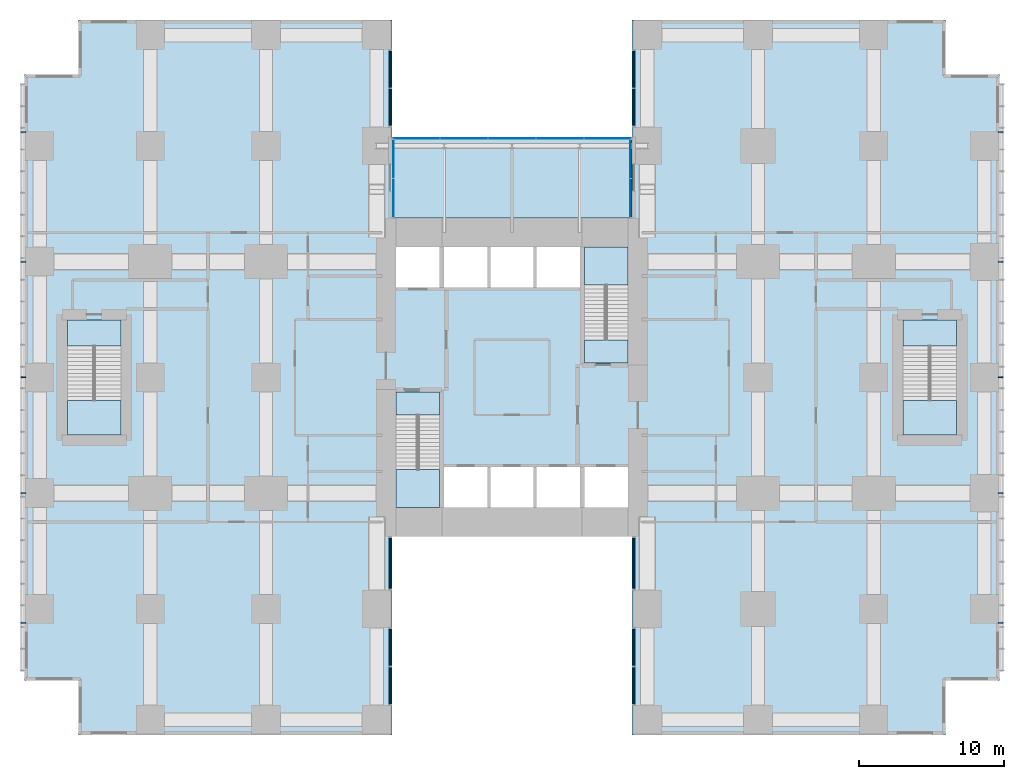
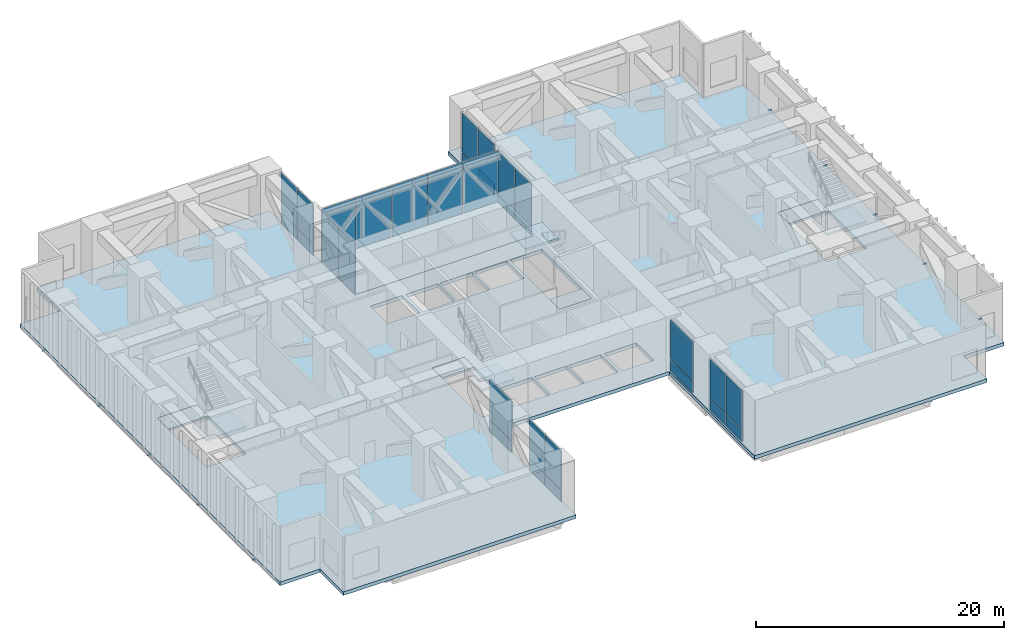
# One storey, part 8 of 17: 29 plates, 10 members, 10 slabs, 13 elements without a shape of their own.
"""IFC4 building model written with IfcOpenShell, lengths in metres."""

from ifc_helpers import new_model, si_unit, direction, frame, origin, origin_2d, place, context, subcontext, project, spatial, polyline, rectangle, hollow_rectangle, outline, extrude, material, layer, layer_set, material_profile, profile_set, type_object, element, aggregate, save


model = new_model("IFC4")

# Units and contexts
model_context = context("Model", 3, precision=1e-05, world=origin(), true_north=direction((0.0, 1.0)))
body_context = subcontext(model_context, "Body", "Model", "MODEL_VIEW")
ifc_project = project(units=[si_unit("LENGTHUNIT", "METRE"), si_unit("AREAUNIT", "SQUARE_METRE"), si_unit("VOLUMEUNIT", "CUBIC_METRE"), si_unit("PLANEANGLEUNIT", "RADIAN"), si_unit("MASSUNIT", "GRAM", prefix="KILO")], contexts=[model_context])

# Site, building, storey
site_placement = place(None, origin())
site = spatial("IfcSite", under=ifc_project, at=site_placement, CompositionType="ELEMENT")
building_placement = place(site_placement, origin())
building = spatial("IfcBuilding", under=site, at=building_placement, Name="Cleftline Residences", CompositionType="ELEMENT")
storey_placement = place(building_placement, frame((0.0, 0.0, 90.800048828125)))
storey = spatial("IfcBuildingStorey", under=building, at=storey_placement, Name="L23", CompositionType="ELEMENT", Elevation=90.800048828125)

# Members
ifc_material_1 = material(Name="Steel S355, hot-dip galvanised", Category="steel")
ifc_material_profile = material_profile(ifc_material_1, hollow_rectangle(XDim=0.10009765625, YDim=0.10009765625, WallThickness=0.008056640625, InnerFilletRadius=0.008056640625, OuterFilletRadius=0.011962890625, at=origin_2d()))
ifc_profile_set = profile_set([ifc_material_profile], Name="Steel S355, hot-dip galvanised")
member_type = type_object("IfcMemberType", Name="BAGUETTE BRACKET SHS 100X100X8", PredefinedType="USERDEFINED", material=ifc_profile_set)
for number, where, z_axis, x_axis, name in (
    (1, (66.60009765625, 7.050048828125, -0.150146484375), (1.0, 0.0, 0.0), (0.0, 1.0, 0.0), "Baguette bracket"),
    (2, (66.60009765625, 16.0, -0.150146484375), (1.0, 0.0, 0.0), (0.0, 1.0, 0.0), "Baguette bracket"),
    (3, (66.60009765625, 24.0, -0.150146484375), (1.0, 0.0, 0.0), (0.0, 1.0, 0.0), "Baguette bracket"),
    (4, (66.60009765625, 32.0, -0.150146484375), (1.0, 0.0, 0.0), (0.0, 1.0, 0.0), "Baguette bracket"),
    (5, (66.60009765625, 40.949951171875, -0.150146484375), (1.0, 0.0, 0.0), (0.0, 1.0, 0.0), "Baguette bracket"),
    (6, (-0.60009765625, 40.949951171875, -0.150146484375), (-1.0, 0.0, 0.0), (0.0, -1.0, 0.0), "Baguette bracket"),
    (7, (-0.60009765625, 32.0, -0.150146484375), (-1.0, 0.0, 0.0), (0.0, -1.0, 0.0), "Baguette bracket"),
    (8, (-0.60009765625, 24.0, -0.150146484375), (-1.0, 0.0, 0.0), (0.0, -1.0, 0.0), "Baguette bracket"),
    (9, (-0.60009765625, 16.0, -0.150146484375), (-1.0, 0.0, 0.0), (0.0, -1.0, 0.0), "Baguette bracket"),
    (10, (-0.60009765625, 7.050048828125, -0.150146484375), (-1.0, 0.0, 0.0), (0.0, -1.0, 0.0), "Baguette bracket"),
):
    element("IfcMember", number, at=place(storey_placement, frame(where, z_axis=z_axis, x_axis=x_axis)), inside=storey, type_object=member_type, Name=name, ObjectType="BAGUETTE BRACKET", PredefinedType="USERDEFINED", context=body_context, shape_type="SweptSolid", body=[
        extrude(hollow_rectangle(XDim=0.10009765625, YDim=0.10009765625, WallThickness=0.008056640625, InnerFilletRadius=0.008056640625, OuterFilletRadius=0.011962890625, at=origin_2d()), origin(), (0.0, 0.0, 1.0), 0.349853515625),
    ])

# Slab
ifc_material_2 = material(Name="Concrete B45", Category="concrete")
ifc_layer_1 = layer(ifc_material_2, 0.199951171875)
ifc_layer_set_1 = layer_set([ifc_layer_1], Name="BRIDGE FLOOR SLAB 200")
slab_type_1 = type_object("IfcSlabType", Name="BRIDGE FLOOR SLAB 200", PredefinedType="FLOOR", material=ifc_layer_set_1)
slab_1_placement = place(storey_placement, frame((0.0, 0.0, -0.199951171875)))
element("IfcSlab", 11, at=slab_1_placement, inside=storey, type_object=slab_type_1, Name="Sky bridge floor L23 N", PredefinedType="FLOOR", context=body_context, shape_type="SweptSolid", body=[
    extrude(outline(polyline([(41.300048828125, 35.0), (41.300048828125, 40.60009765625), (24.699951171875, 40.60009765625), (24.699951171875, 35.0), (41.300048828125, 35.0)])), origin(), (0.0, 0.0, 1.0), 0.199951171875),
])

# Curtain wall, plates
ifc_material_3 = material(Name="Aluminium framed curtain wall", Category="aluminium")
ifc_layer_2 = layer(ifc_material_3, 0.199951171875)
ifc_layer_set_2 = layer_set([ifc_layer_2], Name="CW3 BRIDGE GLAZING")
curtain_wall_type_1 = type_object("IfcCurtainWallType", Name="CW3 BRIDGE GLAZING", PredefinedType="NOTDEFINED", material=ifc_layer_set_2)
curtain_wall_1_placement = place(storey_placement, origin())
curtain_wall_1 = element("IfcCurtainWall", 12, at=curtain_wall_1_placement, inside=storey, type_object=curtain_wall_type_1, Name="Curtain wall CW3", PredefinedType="NOTDEFINED")
ifc_material_4 = material(Name="Insulated aluminium panel", Category="aluminium")
ifc_layer_3 = layer(ifc_material_4, 0.028076171875)
ifc_layer_set_3 = layer_set([ifc_layer_3], Name="CW3 INSULATED PANEL")
plate_type_1 = type_object("IfcPlateType", Name="CW3 INSULATED PANEL", PredefinedType="USERDEFINED", material=ifc_layer_set_3)
plate_1_placement = place(storey_placement, frame((39.625, 40.5, 0.06005859375), z_axis=(0.0, 0.0, 1.0), x_axis=(-1.0, 0.0, 0.0)))
plate_1 = element("IfcPlate", 13, at=plate_1_placement, type_object=plate_type_1, Name="CW3 panel 1.1", ObjectType="INSULATED PANEL", PredefinedType="USERDEFINED", context=body_context, shape_type="SweptSolid", body=[
    extrude(rectangle(XDim=3.22998046875, YDim=0.028076171875, at=origin_2d()), origin(), (0.0, 0.0, 1.0), 5.030029296875),
])
plate_2_placement = place(storey_placement, frame((36.320068359375, 40.5, 0.06005859375), z_axis=(0.0, 0.0, 1.0), x_axis=(-1.0, 0.0, 0.0)))
plate_2 = element("IfcPlate", 14, at=plate_2_placement, type_object=plate_type_1, Name="CW3 panel 2.1", ObjectType="INSULATED PANEL", PredefinedType="USERDEFINED", context=body_context, shape_type="SweptSolid", body=[
    extrude(rectangle(XDim=3.260009765625, YDim=0.028076171875, at=origin_2d()), origin(), (0.0, 0.0, 1.0), 5.030029296875),
])
plate_3_placement = place(storey_placement, frame((33.0, 40.5, 0.06005859375), z_axis=(0.0, 0.0, 1.0), x_axis=(-1.0, 0.0, 0.0)))
plate_3 = element("IfcPlate", 15, at=plate_3_placement, type_object=plate_type_1, Name="CW3 panel 3.1", ObjectType="INSULATED PANEL", PredefinedType="USERDEFINED", context=body_context, shape_type="SweptSolid", body=[
    extrude(rectangle(XDim=3.260009765625, YDim=0.028076171875, at=origin_2d()), origin(), (0.0, 0.0, 1.0), 5.030029296875),
])
plate_4_placement = place(storey_placement, frame((29.679931640625, 40.5, 0.06005859375), z_axis=(0.0, 0.0, 1.0), x_axis=(-1.0, 0.0, 0.0)))
plate_4 = element("IfcPlate", 16, at=plate_4_placement, type_object=plate_type_1, Name="CW3 panel 4.1", ObjectType="INSULATED PANEL", PredefinedType="USERDEFINED", context=body_context, shape_type="SweptSolid", body=[
    extrude(rectangle(XDim=3.260009765625, YDim=0.028076171875, at=origin_2d()), origin(), (0.0, 0.0, 1.0), 5.030029296875),
])
plate_5_placement = place(storey_placement, frame((26.375, 40.5, 0.06005859375), z_axis=(0.0, 0.0, 1.0), x_axis=(-1.0, 0.0, 0.0)))
plate_5 = element("IfcPlate", 17, at=plate_5_placement, type_object=plate_type_1, Name="CW3 panel 5.1", ObjectType="INSULATED PANEL", PredefinedType="USERDEFINED", context=body_context, shape_type="SweptSolid", body=[
    extrude(rectangle(XDim=3.22998046875, YDim=0.028076171875, at=origin_2d()), origin(), (0.0, 0.0, 1.0), 5.030029296875),
])
aggregate(curtain_wall_1, [plate_1, plate_2, plate_3, plate_4, plate_5])

curtain_wall_2_placement = place(storey_placement, origin())
curtain_wall_2 = element("IfcCurtainWall", 18, at=curtain_wall_2_placement, inside=storey, type_object=curtain_wall_type_1, Name="Curtain wall CW3", PredefinedType="NOTDEFINED")
plate_6_placement = place(storey_placement, frame((24.800048828125, 36.389892578125, 0.06005859375), z_axis=(0.0, 0.0, 1.0), x_axis=(0.0, 1.0, 0.0)))
plate_6 = element("IfcPlate", 19, at=plate_6_placement, type_object=plate_type_1, Name="CW3 panel 1.1", ObjectType="INSULATED PANEL", PredefinedType="USERDEFINED", context=body_context, shape_type="SweptSolid", body=[
    extrude(rectangle(XDim=2.659912109375, YDim=0.028076171875, at=origin_2d()), origin(), (0.0, 0.0, 1.0), 5.030029296875),
])
plate_7_placement = place(storey_placement, frame((24.800048828125, 39.110107421875, 0.06005859375), z_axis=(0.0, 0.0, 1.0), x_axis=(0.0, 1.0, 0.0)))
plate_7 = element("IfcPlate", 20, at=plate_7_placement, type_object=plate_type_1, Name="CW3 panel 2.1", ObjectType="INSULATED PANEL", PredefinedType="USERDEFINED", context=body_context, shape_type="SweptSolid", body=[
    extrude(rectangle(XDim=2.659912109375, YDim=0.028076171875, at=origin_2d()), origin(), (0.0, 0.0, 1.0), 5.030029296875),
])
aggregate(curtain_wall_2, [plate_6, plate_7])

curtain_wall_3_placement = place(storey_placement, origin())
curtain_wall_3 = element("IfcCurtainWall", 21, at=curtain_wall_3_placement, inside=storey, type_object=curtain_wall_type_1, Name="Curtain wall CW3", PredefinedType="NOTDEFINED")
plate_8_placement = place(storey_placement, frame((41.199951171875, 39.110107421875, 0.06005859375), z_axis=(0.0, 0.0, 1.0), x_axis=(0.0, -1.0, 0.0)))
plate_8 = element("IfcPlate", 22, at=plate_8_placement, type_object=plate_type_1, Name="CW3 panel 1.1", ObjectType="INSULATED PANEL", PredefinedType="USERDEFINED", context=body_context, shape_type="SweptSolid", body=[
    extrude(rectangle(XDim=2.659912109375, YDim=0.028076171875, at=origin_2d()), origin(), (0.0, 0.0, 1.0), 5.030029296875),
])
plate_9_placement = place(storey_placement, frame((41.199951171875, 36.389892578125, 0.06005859375), z_axis=(0.0, 0.0, 1.0), x_axis=(0.0, -1.0, 0.0)))
plate_9 = element("IfcPlate", 23, at=plate_9_placement, type_object=plate_type_1, Name="CW3 panel 2.1", ObjectType="INSULATED PANEL", PredefinedType="USERDEFINED", context=body_context, shape_type="SweptSolid", body=[
    extrude(rectangle(XDim=2.659912109375, YDim=0.028076171875, at=origin_2d()), origin(), (0.0, 0.0, 1.0), 5.030029296875),
])
aggregate(curtain_wall_3, [plate_8, plate_9])

ifc_material_5 = material(Name="Aluminium framed louvre screen", Category="aluminium")
ifc_layer_4 = layer(ifc_material_5, 0.25)
ifc_layer_set_4 = layer_set([ifc_layer_4], Name="CW6 REFUGE LOUVRE SCREEN")
curtain_wall_type_2 = type_object("IfcCurtainWallType", Name="CW6 REFUGE LOUVRE SCREEN", PredefinedType="NOTDEFINED", material=ifc_layer_set_4)
curtain_wall_4_placement = place(storey_placement, origin())
curtain_wall_4 = element("IfcCurtainWall", 24, at=curtain_wall_4_placement, inside=storey, type_object=curtain_wall_type_2, Name="Louvre screen CW6", PredefinedType="NOTDEFINED")
ifc_material_6 = material(Name="Extruded aluminium louvre blades", Category="aluminium")
ifc_layer_5 = layer(ifc_material_6, 0.10009765625)
ifc_layer_set_5 = layer_set([ifc_layer_5], Name="CW6 LOUVRE BLADE PANEL")
plate_type_2 = type_object("IfcPlateType", Name="CW6 LOUVRE BLADE PANEL", PredefinedType="USERDEFINED", material=ifc_layer_set_5)
plate_10_placement = place(storey_placement, frame((24.574951171875, 2.70751953125, 0.079833984375), z_axis=(0.0, 0.0, 1.0), x_axis=(0.0, 1.0, 0.0)))
plate_10 = element("IfcPlate", 25, at=plate_10_placement, type_object=plate_type_2, Name="CW6 louvre panel 1.1", ObjectType="LOUVRE", PredefinedType="USERDEFINED", context=body_context, shape_type="SweptSolid", body=[
    extrude(rectangle(XDim=2.554931640625, YDim=0.10009765625, at=origin_2d()), origin(), (0.0, 0.0, 1.0), 1.080078125),
])
plate_11_placement = place(storey_placement, frame((24.574951171875, 2.70751953125, 1.239990234375), z_axis=(0.0, 0.0, 1.0), x_axis=(0.0, 1.0, 0.0)))
plate_11 = element("IfcPlate", 26, at=plate_11_placement, type_object=plate_type_2, Name="CW6 louvre panel 1.2", ObjectType="LOUVRE", PredefinedType="USERDEFINED", context=body_context, shape_type="SweptSolid", body=[
    extrude(rectangle(XDim=2.554931640625, YDim=0.10009765625, at=origin_2d()), origin(), (0.0, 0.0, 1.0), 3.830078125),
])
plate_12_placement = place(storey_placement, frame((24.574951171875, 5.342529296875, 0.079833984375), z_axis=(0.0, 0.0, 1.0), x_axis=(0.0, 1.0, 0.0)))
plate_12 = element("IfcPlate", 27, at=plate_12_placement, type_object=plate_type_2, Name="CW6 louvre panel 2.1", ObjectType="LOUVRE", PredefinedType="USERDEFINED", context=body_context, shape_type="SweptSolid", body=[
    extrude(rectangle(XDim=2.554931640625, YDim=0.10009765625, at=origin_2d()), origin(), (0.0, 0.0, 1.0), 1.080078125),
])
plate_13_placement = place(storey_placement, frame((24.574951171875, 5.342529296875, 1.239990234375), z_axis=(0.0, 0.0, 1.0), x_axis=(0.0, 1.0, 0.0)))
plate_13 = element("IfcPlate", 28, at=plate_13_placement, type_object=plate_type_2, Name="CW6 louvre panel 2.2", ObjectType="LOUVRE", PredefinedType="USERDEFINED", context=body_context, shape_type="SweptSolid", body=[
    extrude(rectangle(XDim=2.554931640625, YDim=0.10009765625, at=origin_2d()), origin(), (0.0, 0.0, 1.0), 3.830078125),
])
aggregate(curtain_wall_4, [plate_10, plate_11, plate_12, plate_13])

curtain_wall_5_placement = place(storey_placement, origin())
curtain_wall_5 = element("IfcCurtainWall", 29, at=curtain_wall_5_placement, inside=storey, type_object=curtain_wall_type_2, Name="Louvre screen CW6", PredefinedType="NOTDEFINED")
plate_14_placement = place(storey_placement, frame((24.574951171875, 11.14990234375, 0.079833984375), z_axis=(0.0, 0.0, 1.0), x_axis=(0.0, 1.0, 0.0)))
plate_14 = element("IfcPlate", 30, at=plate_14_placement, type_object=plate_type_2, Name="CW6 louvre panel 1.1", ObjectType="LOUVRE", PredefinedType="USERDEFINED", context=body_context, shape_type="SweptSolid", body=[
    extrude(rectangle(XDim=3.5400390625, YDim=0.10009765625, at=origin_2d()), origin(), (0.0, 0.0, 1.0), 1.080078125),
])
plate_15_placement = place(storey_placement, frame((24.574951171875, 11.14990234375, 1.239990234375), z_axis=(0.0, 0.0, 1.0), x_axis=(0.0, 1.0, 0.0)))
plate_15 = element("IfcPlate", 31, at=plate_15_placement, type_object=plate_type_2, Name="CW6 louvre panel 1.2", ObjectType="LOUVRE", PredefinedType="USERDEFINED", context=body_context, shape_type="SweptSolid", body=[
    extrude(rectangle(XDim=3.5400390625, YDim=0.10009765625, at=origin_2d()), origin(), (0.0, 0.0, 1.0), 3.830078125),
])
aggregate(curtain_wall_5, [plate_14, plate_15])

curtain_wall_6_placement = place(storey_placement, origin())
curtain_wall_6 = element("IfcCurtainWall", 32, at=curtain_wall_6_placement, inside=storey, type_object=curtain_wall_type_2, Name="Louvre screen CW6", PredefinedType="NOTDEFINED")
plate_16_placement = place(storey_placement, frame((41.425048828125, 11.14990234375, 0.079833984375), z_axis=(0.0, 0.0, 1.0), x_axis=(0.0, -1.0, 0.0)))
plate_16 = element("IfcPlate", 33, at=plate_16_placement, type_object=plate_type_2, Name="CW6 louvre panel 1.1", ObjectType="LOUVRE", PredefinedType="USERDEFINED", context=body_context, shape_type="SweptSolid", body=[
    extrude(rectangle(XDim=3.5400390625, YDim=0.10009765625, at=origin_2d()), origin(), (0.0, 0.0, 1.0), 1.080078125),
])
plate_17_placement = place(storey_placement, frame((41.425048828125, 11.14990234375, 1.239990234375), z_axis=(0.0, 0.0, 1.0), x_axis=(0.0, -1.0, 0.0)))
plate_17 = element("IfcPlate", 34, at=plate_17_placement, type_object=plate_type_2, Name="CW6 louvre panel 1.2", ObjectType="LOUVRE", PredefinedType="USERDEFINED", context=body_context, shape_type="SweptSolid", body=[
    extrude(rectangle(XDim=3.5400390625, YDim=0.10009765625, at=origin_2d()), origin(), (0.0, 0.0, 1.0), 3.830078125),
])
aggregate(curtain_wall_6, [plate_16, plate_17])

curtain_wall_7_placement = place(storey_placement, origin())
curtain_wall_7 = element("IfcCurtainWall", 35, at=curtain_wall_7_placement, inside=storey, type_object=curtain_wall_type_2, Name="Louvre screen CW6", PredefinedType="NOTDEFINED")
plate_18_placement = place(storey_placement, frame((41.425048828125, 5.342529296875, 0.079833984375), z_axis=(0.0, 0.0, 1.0), x_axis=(0.0, -1.0, 0.0)))
plate_18 = element("IfcPlate", 36, at=plate_18_placement, type_object=plate_type_2, Name="CW6 louvre panel 1.1", ObjectType="LOUVRE", PredefinedType="USERDEFINED", context=body_context, shape_type="SweptSolid", body=[
    extrude(rectangle(XDim=2.554931640625, YDim=0.10009765625, at=origin_2d()), origin(), (0.0, 0.0, 1.0), 1.080078125),
])
plate_19_placement = place(storey_placement, frame((41.425048828125, 5.342529296875, 1.239990234375), z_axis=(0.0, 0.0, 1.0), x_axis=(0.0, -1.0, 0.0)))
plate_19 = element("IfcPlate", 37, at=plate_19_placement, type_object=plate_type_2, Name="CW6 louvre panel 1.2", ObjectType="LOUVRE", PredefinedType="USERDEFINED", context=body_context, shape_type="SweptSolid", body=[
    extrude(rectangle(XDim=2.554931640625, YDim=0.10009765625, at=origin_2d()), origin(), (0.0, 0.0, 1.0), 3.830078125),
])
plate_20_placement = place(storey_placement, frame((41.425048828125, 2.70751953125, 0.079833984375), z_axis=(0.0, 0.0, 1.0), x_axis=(0.0, -1.0, 0.0)))
plate_20 = element("IfcPlate", 38, at=plate_20_placement, type_object=plate_type_2, Name="CW6 louvre panel 2.1", ObjectType="LOUVRE", PredefinedType="USERDEFINED", context=body_context, shape_type="SweptSolid", body=[
    extrude(rectangle(XDim=2.554931640625, YDim=0.10009765625, at=origin_2d()), origin(), (0.0, 0.0, 1.0), 1.080078125),
])
plate_21_placement = place(storey_placement, frame((41.425048828125, 2.70751953125, 1.239990234375), z_axis=(0.0, 0.0, 1.0), x_axis=(0.0, -1.0, 0.0)))
plate_21 = element("IfcPlate", 39, at=plate_21_placement, type_object=plate_type_2, Name="CW6 louvre panel 2.2", ObjectType="LOUVRE", PredefinedType="USERDEFINED", context=body_context, shape_type="SweptSolid", body=[
    extrude(rectangle(XDim=2.554931640625, YDim=0.10009765625, at=origin_2d()), origin(), (0.0, 0.0, 1.0), 3.830078125),
])
aggregate(curtain_wall_7, [plate_18, plate_19, plate_20, plate_21])

curtain_wall_8_placement = place(storey_placement, origin())
curtain_wall_8 = element("IfcCurtainWall", 40, at=curtain_wall_8_placement, inside=storey, type_object=curtain_wall_type_2, Name="Louvre screen CW6", PredefinedType="NOTDEFINED")
plate_22_placement = place(storey_placement, frame((41.425048828125, 45.29248046875, 0.079833984375), z_axis=(0.0, 0.0, 1.0), x_axis=(0.0, -1.0, 0.0)))
plate_22 = element("IfcPlate", 41, at=plate_22_placement, type_object=plate_type_2, Name="CW6 louvre panel 1.1", ObjectType="LOUVRE", PredefinedType="USERDEFINED", context=body_context, shape_type="SweptSolid", body=[
    extrude(rectangle(XDim=2.554931640625, YDim=0.10009765625, at=origin_2d()), origin(), (0.0, 0.0, 1.0), 1.080078125),
])
plate_23_placement = place(storey_placement, frame((41.425048828125, 45.29248046875, 1.239990234375), z_axis=(0.0, 0.0, 1.0), x_axis=(0.0, -1.0, 0.0)))
plate_23 = element("IfcPlate", 42, at=plate_23_placement, type_object=plate_type_2, Name="CW6 louvre panel 1.2", ObjectType="LOUVRE", PredefinedType="USERDEFINED", context=body_context, shape_type="SweptSolid", body=[
    extrude(rectangle(XDim=2.554931640625, YDim=0.10009765625, at=origin_2d()), origin(), (0.0, 0.0, 1.0), 3.830078125),
])
plate_24_placement = place(storey_placement, frame((41.425048828125, 42.657470703125, 0.079833984375), z_axis=(0.0, 0.0, 1.0), x_axis=(0.0, -1.0, 0.0)))
plate_24 = element("IfcPlate", 43, at=plate_24_placement, type_object=plate_type_2, Name="CW6 louvre panel 2.1", ObjectType="LOUVRE", PredefinedType="USERDEFINED", context=body_context, shape_type="SweptSolid", body=[
    extrude(rectangle(XDim=2.554931640625, YDim=0.10009765625, at=origin_2d()), origin(), (0.0, 0.0, 1.0), 1.080078125),
])
plate_25_placement = place(storey_placement, frame((41.425048828125, 42.657470703125, 1.239990234375), z_axis=(0.0, 0.0, 1.0), x_axis=(0.0, -1.0, 0.0)))
plate_25 = element("IfcPlate", 44, at=plate_25_placement, type_object=plate_type_2, Name="CW6 louvre panel 2.2", ObjectType="LOUVRE", PredefinedType="USERDEFINED", context=body_context, shape_type="SweptSolid", body=[
    extrude(rectangle(XDim=2.554931640625, YDim=0.10009765625, at=origin_2d()), origin(), (0.0, 0.0, 1.0), 3.830078125),
])
aggregate(curtain_wall_8, [plate_22, plate_23, plate_24, plate_25])

curtain_wall_9_placement = place(storey_placement, origin())
curtain_wall_9 = element("IfcCurtainWall", 45, at=curtain_wall_9_placement, inside=storey, type_object=curtain_wall_type_2, Name="Louvre screen CW6", PredefinedType="NOTDEFINED")
plate_26_placement = place(storey_placement, frame((24.574951171875, 42.657470703125, 0.079833984375), z_axis=(0.0, 0.0, 1.0), x_axis=(0.0, 1.0, 0.0)))
plate_26 = element("IfcPlate", 46, at=plate_26_placement, type_object=plate_type_2, Name="CW6 louvre panel 1.1", ObjectType="LOUVRE", PredefinedType="USERDEFINED", context=body_context, shape_type="SweptSolid", body=[
    extrude(rectangle(XDim=2.554931640625, YDim=0.10009765625, at=origin_2d()), origin(), (0.0, 0.0, 1.0), 1.080078125),
])
plate_27_placement = place(storey_placement, frame((24.574951171875, 42.657470703125, 1.239990234375), z_axis=(0.0, 0.0, 1.0), x_axis=(0.0, 1.0, 0.0)))
plate_27 = element("IfcPlate", 47, at=plate_27_placement, type_object=plate_type_2, Name="CW6 louvre panel 1.2", ObjectType="LOUVRE", PredefinedType="USERDEFINED", context=body_context, shape_type="SweptSolid", body=[
    extrude(rectangle(XDim=2.554931640625, YDim=0.10009765625, at=origin_2d()), origin(), (0.0, 0.0, 1.0), 3.830078125),
])
plate_28_placement = place(storey_placement, frame((24.574951171875, 45.29248046875, 0.079833984375), z_axis=(0.0, 0.0, 1.0), x_axis=(0.0, 1.0, 0.0)))
plate_28 = element("IfcPlate", 48, at=plate_28_placement, type_object=plate_type_2, Name="CW6 louvre panel 2.1", ObjectType="LOUVRE", PredefinedType="USERDEFINED", context=body_context, shape_type="SweptSolid", body=[
    extrude(rectangle(XDim=2.554931640625, YDim=0.10009765625, at=origin_2d()), origin(), (0.0, 0.0, 1.0), 1.080078125),
])
plate_29_placement = place(storey_placement, frame((24.574951171875, 45.29248046875, 1.239990234375), z_axis=(0.0, 0.0, 1.0), x_axis=(0.0, 1.0, 0.0)))
plate_29 = element("IfcPlate", 49, at=plate_29_placement, type_object=plate_type_2, Name="CW6 louvre panel 2.2", ObjectType="LOUVRE", PredefinedType="USERDEFINED", context=body_context, shape_type="SweptSolid", body=[
    extrude(rectangle(XDim=2.554931640625, YDim=0.10009765625, at=origin_2d()), origin(), (0.0, 0.0, 1.0), 3.830078125),
])
aggregate(curtain_wall_9, [plate_26, plate_27, plate_28, plate_29])

# Slab
ifc_material_7 = material(Name="Concrete B45", Category="concrete")
ifc_layer_6 = layer(ifc_material_7, 0.35009765625)
ifc_layer_set_6 = layer_set([ifc_layer_6], Name="FLOOR SLAB 350")
slab_type_2 = type_object("IfcSlabType", Name="FLOOR SLAB 350", PredefinedType="FLOOR", material=ifc_layer_set_6)
slab_2_placement = place(storey_placement, frame((0.0, 0.0, -0.35009765625)))
element("IfcSlab", 50, at=slab_2_placement, inside=storey, type_object=slab_type_2, Name="Floor slab L23", PredefinedType="FLOOR", context=body_context, shape_type="SweptSolid", body=[
    extrude(outline(polyline([(24.699951171875, 13.0), (41.300048828125, 13.0), (41.300048828125, -0.699951171875), (62.949951171875, -0.699951171875), (62.949951171875, 3.050048828125), (66.699951171875, 3.050048828125), (66.699951171875, 44.949951171875), (62.949951171875, 44.949951171875), (62.949951171875, 48.699951171875), (41.300048828125, 48.699951171875), (41.300048828125, 35.0), (24.699951171875, 35.0), (24.699951171875, 48.699951171875), (3.050048828125, 48.699951171875), (3.050048828125, 44.949951171875), (-0.699951171875, 44.949951171875), (-0.699951171875, 3.050048828125), (3.050048828125, 3.050048828125), (3.050048828125, -0.699951171875), (24.699951171875, -0.699951171875), (24.699951171875, 13.0)]), holes=[polyline([(28.0, 15.0), (28.0, 23.0), (25.0, 23.0), (25.0, 15.0), (28.0, 15.0)]), polyline([(41.0, 25.0), (41.0, 33.0), (38.0, 33.0), (38.0, 25.0), (41.0, 25.0)]), polyline([(28.0, 30.199951171875), (28.0, 33.0), (25.0, 33.0), (25.0, 30.199951171875), (28.0, 30.199951171875)]), polyline([(41.0, 15.0), (41.0, 17.800048828125), (38.0, 17.800048828125), (38.0, 15.0), (41.0, 15.0)]), polyline([(31.300048828125, 15.0), (31.300048828125, 17.800048828125), (28.300048828125, 17.800048828125), (28.300048828125, 15.0), (31.300048828125, 15.0)]), polyline([(34.5, 15.0), (34.5, 17.800048828125), (31.5, 17.800048828125), (31.5, 15.0), (34.5, 15.0)]), polyline([(37.699951171875, 15.0), (37.699951171875, 17.800048828125), (34.699951171875, 17.800048828125), (34.699951171875, 15.0), (37.699951171875, 15.0)]), polyline([(31.300048828125, 30.199951171875), (31.300048828125, 33.0), (28.300048828125, 33.0), (28.300048828125, 30.199951171875), (31.300048828125, 30.199951171875)]), polyline([(34.5, 30.199951171875), (34.5, 33.0), (31.5, 33.0), (31.5, 30.199951171875), (34.5, 30.199951171875)]), polyline([(37.699951171875, 30.199951171875), (37.699951171875, 33.0), (34.699951171875, 33.0), (34.699951171875, 30.199951171875), (37.699951171875, 30.199951171875)]), polyline([(63.72509765625, 20.02490234375), (63.72509765625, 27.97509765625), (60.02490234375, 27.97509765625), (60.02490234375, 20.02490234375), (63.72509765625, 20.02490234375)]), polyline([(5.97509765625, 20.02490234375), (5.97509765625, 27.97509765625), (2.27490234375, 27.97509765625), (2.27490234375, 20.02490234375), (5.97509765625, 20.02490234375)])]), origin(), (0.0, 0.0, 1.0), 0.35009765625),
])

# Stair, slabs
ifc_material_8 = material(Name="Concrete B45, stone treads", Category="masonry")
stair_type_1 = type_object("IfcStairType", Name="STAIR A 1450 WIDE 180 RISER", PredefinedType="HALF_TURN_STAIR", material=ifc_material_8)
stair_1_placement = place(storey_placement, origin())
stair_1 = element("IfcStair", 51, at=stair_1_placement, inside=storey, type_object=stair_type_1, Name="Stair A L23", PredefinedType="HALF_TURN_STAIR")
ifc_material_9 = material(Name="Concrete B45", Category="concrete")
ifc_layer_7 = layer(ifc_material_9, 0.199951171875)
ifc_layer_set_7 = layer_set([ifc_layer_7], Name="STAIR LANDING 200")
slab_type_3 = type_object("IfcSlabType", Name="STAIR LANDING 200", PredefinedType="LANDING", material=ifc_layer_set_7)
slab_3_placement = place(storey_placement, frame((0.0, 0.0, -0.199951171875)))
slab_3 = element("IfcSlab", 52, at=slab_3_placement, type_object=slab_type_3, Name="ST-A landing 1", PredefinedType="LANDING", context=body_context, shape_type="SweptSolid", body=[
    extrude(outline(polyline([(25.0, 21.39990234375), (28.0, 21.39990234375), (28.0, 23.0), (25.0, 23.0), (25.0, 21.39990234375)])), origin(), (0.0, 0.0, 1.0), 0.199951171875),
])
slab_4_placement = place(storey_placement, frame((0.0, 0.0, 2.5)))
slab_4 = element("IfcSlab", 53, at=slab_4_placement, type_object=slab_type_3, Name="ST-A landing 2", PredefinedType="LANDING", context=body_context, shape_type="SweptSolid", body=[
    extrude(outline(polyline([(25.0, 15.0), (28.0, 15.0), (28.0, 17.6201171875), (25.0, 17.6201171875), (25.0, 15.0)])), origin(), (0.0, 0.0, 1.0), 0.199951171875),
])
aggregate(stair_1, [slab_3, slab_4])

ifc_material_10 = material(Name="Concrete B45, stone treads", Category="masonry")
stair_type_2 = type_object("IfcStairType", Name="STAIR B 1450 WIDE 180 RISER", PredefinedType="HALF_TURN_STAIR", material=ifc_material_10)
stair_2_placement = place(storey_placement, origin())
stair_2 = element("IfcStair", 54, at=stair_2_placement, inside=storey, type_object=stair_type_2, Name="Stair B L23", PredefinedType="HALF_TURN_STAIR")
slab_5_placement = place(storey_placement, frame((0.0, 0.0, -0.199951171875)))
slab_5 = element("IfcSlab", 55, at=slab_5_placement, type_object=slab_type_3, Name="ST-B landing 1", PredefinedType="LANDING", context=body_context, shape_type="SweptSolid", body=[
    extrude(outline(polyline([(38.0, 25.0), (41.0, 25.0), (41.0, 26.60009765625), (38.0, 26.60009765625), (38.0, 25.0)])), origin(), (0.0, 0.0, 1.0), 0.199951171875),
])
slab_6_placement = place(storey_placement, frame((0.0, 0.0, 2.5)))
slab_6 = element("IfcSlab", 56, at=slab_6_placement, type_object=slab_type_3, Name="ST-B landing 2", PredefinedType="LANDING", context=body_context, shape_type="SweptSolid", body=[
    extrude(outline(polyline([(38.0, 30.3798828125), (41.0, 30.3798828125), (41.0, 33.0), (38.0, 33.0), (38.0, 30.3798828125)])), origin(), (0.0, 0.0, 1.0), 0.199951171875),
])
aggregate(stair_2, [slab_5, slab_6])

ifc_material_11 = material(Name="Concrete B45, stone treads", Category="masonry")
stair_type_3 = type_object("IfcStairType", Name="STAIR E 1800 WIDE 180 RISER", PredefinedType="HALF_TURN_STAIR", material=ifc_material_11)
stair_3_placement = place(storey_placement, origin())
stair_3 = element("IfcStair", 57, at=stair_3_placement, inside=storey, type_object=stair_type_3, Name="Stair E L23", PredefinedType="HALF_TURN_STAIR")
slab_7_placement = place(storey_placement, frame((0.0, 0.0, -0.199951171875)))
slab_7 = element("IfcSlab", 58, at=slab_7_placement, type_object=slab_type_3, Name="ST-E landing 1", PredefinedType="LANDING", context=body_context, shape_type="SweptSolid", body=[
    extrude(outline(polyline([(60.02490234375, 26.175048828125), (63.72509765625, 26.175048828125), (63.72509765625, 27.97509765625), (60.02490234375, 27.97509765625), (60.02490234375, 26.175048828125)])), origin(), (0.0, 0.0, 1.0), 0.199951171875),
])
slab_8_placement = place(storey_placement, frame((0.0, 0.0, 2.5)))
slab_8 = element("IfcSlab", 59, at=slab_8_placement, type_object=slab_type_3, Name="ST-E landing 2", PredefinedType="LANDING", context=body_context, shape_type="SweptSolid", body=[
    extrude(outline(polyline([(60.02490234375, 20.02490234375), (63.72509765625, 20.02490234375), (63.72509765625, 22.39501953125), (60.02490234375, 22.39501953125), (60.02490234375, 20.02490234375)])), origin(), (0.0, 0.0, 1.0), 0.199951171875),
])
aggregate(stair_3, [slab_7, slab_8])

ifc_material_12 = material(Name="Concrete B45, stone treads", Category="masonry")
stair_type_4 = type_object("IfcStairType", Name="STAIR W 1800 WIDE 180 RISER", PredefinedType="HALF_TURN_STAIR", material=ifc_material_12)
stair_4_placement = place(storey_placement, origin())
stair_4 = element("IfcStair", 60, at=stair_4_placement, inside=storey, type_object=stair_type_4, Name="Stair W L23", PredefinedType="HALF_TURN_STAIR")
slab_9_placement = place(storey_placement, frame((0.0, 0.0, -0.199951171875)))
slab_9 = element("IfcSlab", 61, at=slab_9_placement, type_object=slab_type_3, Name="ST-W landing 1", PredefinedType="LANDING", context=body_context, shape_type="SweptSolid", body=[
    extrude(outline(polyline([(2.27490234375, 26.175048828125), (5.97509765625, 26.175048828125), (5.97509765625, 27.97509765625), (2.27490234375, 27.97509765625), (2.27490234375, 26.175048828125)])), origin(), (0.0, 0.0, 1.0), 0.199951171875),
])
slab_10_placement = place(storey_placement, frame((0.0, 0.0, 2.5)))
slab_10 = element("IfcSlab", 62, at=slab_10_placement, type_object=slab_type_3, Name="ST-W landing 2", PredefinedType="LANDING", context=body_context, shape_type="SweptSolid", body=[
    extrude(outline(polyline([(2.27490234375, 20.02490234375), (5.97509765625, 20.02490234375), (5.97509765625, 22.39501953125), (2.27490234375, 22.39501953125), (2.27490234375, 20.02490234375)])), origin(), (0.0, 0.0, 1.0), 0.199951171875),
])
aggregate(stair_4, [slab_9, slab_10])

save(model, "model.ifc")
